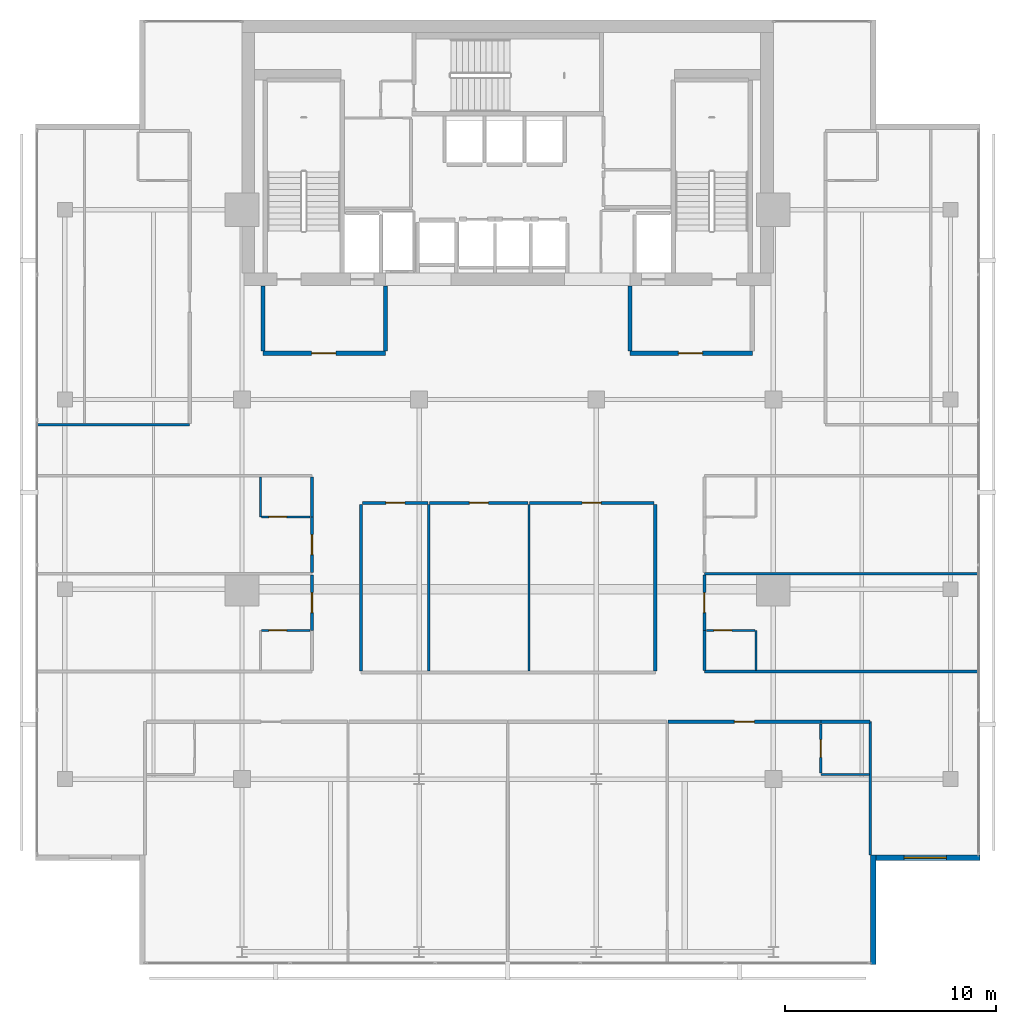
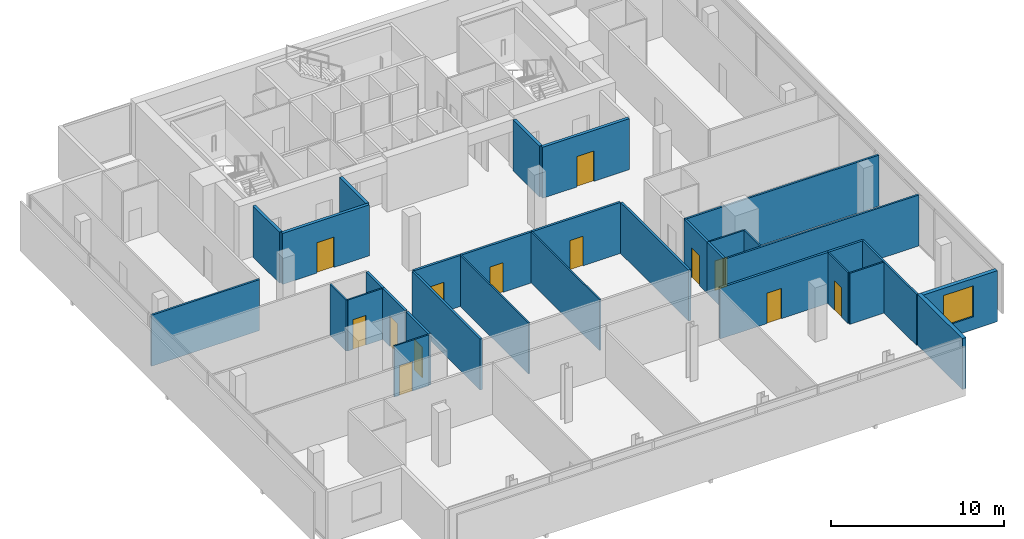
# One storey, part 20 of 25: 32 walls, 13 doors, 1 window, 14 openings.
"""IFC4 building model written with IfcOpenShell, lengths in metres."""

from ifc_helpers import new_model, si_unit, direction, frame, frame_2d, origin, place, context, subcontext, project, spatial, rectangle, extrude, material, layer, layer_set, type_object, element, fill, save


model = new_model("IFC4")

# Units and contexts
model_context = context("Model", 3, precision=1e-05, world=origin(), true_north=direction((0.0, 1.0)))
body_context = subcontext(model_context, "Body", "Model", "MODEL_VIEW")
ifc_project = project(units=[si_unit("LENGTHUNIT", "METRE"), si_unit("AREAUNIT", "SQUARE_METRE"), si_unit("VOLUMEUNIT", "CUBIC_METRE"), si_unit("PLANEANGLEUNIT", "RADIAN"), si_unit("MASSUNIT", "GRAM", prefix="KILO")], contexts=[model_context])

# Site, building, storey
site_placement = place(None, origin())
site = spatial("IfcSite", under=ifc_project, at=site_placement, CompositionType="ELEMENT")
building_placement = place(site_placement, origin())
building = spatial("IfcBuilding", under=site, at=building_placement, Name="Maruvema Waterfront Hotel and Observation Tower", CompositionType="ELEMENT")
storey_placement = place(building_placement, frame((0.0, 0.0, 274.050048828125)))
storey = spatial("IfcBuildingStorey", under=building, at=storey_placement, Name="L67", CompositionType="ELEMENT", Elevation=274.050048828125)

# Walls
ifc_material_1 = material(Name="Twin-stud acoustic gypsum drywall", Category="gypsum")
ifc_layer_1 = layer(ifc_material_1, 0.14990234375, Name="Acoustic Corridor and Suite Demising Wall 150 mm")
ifc_layer_set_1 = layer_set([ifc_layer_1], Name="Twin-stud acoustic gypsum drywall")
wall_type_1 = type_object("IfcWallType", Name="Acoustic Corridor and Suite Demising Wall 150 mm", PredefinedType="PARTITIONING", material=ifc_layer_set_1)
for number, where, z_axis, x_axis, name in (
    (1, (30.85009765625, 23.1298828125, 0.0), (0.0, 0.0, 1.0), (0.0, 1.0, 0.0), "L67 L67-Z3M West Wall 022"),
    (2, (44.800048828125, 23.1298828125, 0.0), (0.0, 0.0, 1.0), (0.0, 1.0, 0.0), "L67 L67-Z3M East Wall 023"),
):
    element("IfcWall", number, at=place(storey_placement, frame(where, z_axis=z_axis, x_axis=x_axis)), inside=storey, type_object=wall_type_1, Name=name, PredefinedType="PARTITIONING", context=body_context, shape_type="SweptSolid", body=[
        extrude(rectangle(XDim=7.89013671875, YDim=0.14990234375, at=frame_2d((3.945068359375, 0.0))), origin(), (0.0, 0.0, 1.0), 3.60986328125),
    ])

# Wall, opening, door
wall_1_placement = place(storey_placement, frame((30.909912109375, 31.10009765625, 0.0), z_axis=(0.0, 0.0, 1.0), x_axis=(1.0, 0.0, 0.0)))
wall_1 = element("IfcWall", 3, at=wall_1_placement, inside=storey, type_object=wall_type_1, Name="L67 L67-Z3M Front 1 024", PredefinedType="PARTITIONING", context=body_context, shape_type="SweptSolid", body=[
    extrude(rectangle(XDim=3.11865234375, YDim=0.14990234375, at=frame_2d((1.559326171875, 0.0))), origin(), (0.0, 0.0, 1.0), 3.60986328125),
])
opening_1_placement = place(wall_1_placement, frame((1.109375, 0.0, 0.0)))
opening_1 = element("IfcOpeningElement", 4, at=opening_1_placement, cuts=wall_1, Name="Opening DR-090", PredefinedType="OPENING", context=body_context, shape_type="SweptSolid", body=[
    extrude(rectangle(XDim=0.89990234375, YDim=2.10009765625, at=frame_2d((0.449951171875, 1.050048828125))), frame((0.0, 0.0849609375, 0.0), z_axis=(0.0, -1.0, 0.0), x_axis=(1.0, 0.0, 0.0)), (0.0, 0.0, 1.0), 0.169921875),
])
ifc_material_2 = material(Name="Solid-core lacquered timber leaf", Category="wood")
door_type_1 = type_object("IfcDoorType", Name="Accessible Toilet and Room Door 900x2100 mm", OperationType="NOTDEFINED", PredefinedType="DOOR", material=ifc_material_2)
door_1_placement = place(opening_1_placement, origin())
door_1 = element("IfcDoor", 5, at=door_1_placement, inside=storey, type_object=door_type_1, Name="L67 Private Chef Kitchen 1 Door", OperationType="SINGLE_SWING_RIGHT", OverallHeight=2.10009765625, OverallWidth=0.89990234375, PredefinedType="DOOR", context=body_context, shape_type="SweptSolid", body=[
    extrude(rectangle(XDim=0.89990234375, YDim=2.10009765625, at=frame_2d((0.449951171875, 1.050048828125))), frame((0.0, 0.02490234375, 0.0), z_axis=(0.0, -1.0, 0.0), x_axis=(1.0, 0.0, 0.0)), (0.0, 0.0, 1.0), 0.050048828125),
])
fill(opening_1, door_1)

wall_2_placement = place(storey_placement, frame((34.08837890625, 31.10009765625, 0.0), z_axis=(0.0, 0.0, 1.0), x_axis=(1.0, 0.0, 0.0)))
wall_2 = element("IfcWall", 6, at=wall_2_placement, inside=storey, type_object=wall_type_1, Name="L67 L67-Z3M Front 2 026", PredefinedType="PARTITIONING", context=body_context, shape_type="SweptSolid", body=[
    extrude(rectangle(XDim=4.68310546875, YDim=0.14990234375, at=frame_2d((2.341552734375, 0.0))), origin(), (0.0, 0.0, 1.0), 3.60986328125),
])
opening_2_placement = place(wall_2_placement, frame((1.8916015625, 0.0, 0.0)))
opening_2 = element("IfcOpeningElement", 7, at=opening_2_placement, cuts=wall_2, Name="Opening DR-090", PredefinedType="OPENING", context=body_context, shape_type="SweptSolid", body=[
    extrude(rectangle(XDim=0.89990234375, YDim=2.10009765625, at=frame_2d((0.449951171875, 1.050048828125))), frame((0.0, 0.0849609375, 0.0), z_axis=(0.0, -1.0, 0.0), x_axis=(1.0, 0.0, 0.0)), (0.0, 0.0, 1.0), 0.169921875),
])
door_2_placement = place(opening_2_placement, origin())
door_2 = element("IfcDoor", 8, at=door_2_placement, inside=storey, type_object=door_type_1, Name="L67 Private Chef Kitchen 2 Door", OperationType="SINGLE_SWING_LEFT", OverallHeight=2.10009765625, OverallWidth=0.89990234375, PredefinedType="DOOR", context=body_context, shape_type="SweptSolid", body=[
    extrude(rectangle(XDim=0.89990234375, YDim=2.10009765625, at=frame_2d((0.449951171875, 1.050048828125))), frame((0.0, 0.02490234375, 0.0), z_axis=(0.0, -1.0, 0.0), x_axis=(1.0, 0.0, 0.0)), (0.0, 0.0, 1.0), 0.050048828125),
])
fill(opening_2, door_2)

wall_3_placement = place(storey_placement, frame((38.83154296875, 31.10009765625, 0.0), z_axis=(0.0, 0.0, 1.0), x_axis=(1.0, 0.0, 0.0)))
wall_3 = element("IfcWall", 9, at=wall_3_placement, inside=storey, type_object=wall_type_1, Name="L67 L67-Z3M Front 3 028", PredefinedType="PARTITIONING", context=body_context, shape_type="SweptSolid", body=[
    extrude(rectangle(XDim=5.908447265625, YDim=0.14990234375, at=frame_2d((2.9541015625, 0.0))), origin(), (0.0, 0.0, 1.0), 3.60986328125),
])
opening_3_placement = place(wall_3_placement, frame((2.50439453125, 0.0, 0.0)))
opening_3 = element("IfcOpeningElement", 10, at=opening_3_placement, cuts=wall_3, Name="Opening DR-090", PredefinedType="OPENING", context=body_context, shape_type="SweptSolid", body=[
    extrude(rectangle(XDim=0.89990234375, YDim=2.10009765625, at=frame_2d((0.449951171875, 1.050048828125))), frame((0.0, 0.0849609375, 0.0), z_axis=(0.0, -1.0, 0.0), x_axis=(1.0, 0.0, 0.0)), (0.0, 0.0, 1.0), 0.169921875),
])
door_3_placement = place(opening_3_placement, origin())
door_3 = element("IfcDoor", 11, at=door_3_placement, inside=storey, type_object=door_type_1, Name="L67 Private Chef Kitchen 3 Door", OperationType="SINGLE_SWING_RIGHT", OverallHeight=2.10009765625, OverallWidth=0.89990234375, PredefinedType="DOOR", context=body_context, shape_type="SweptSolid", body=[
    extrude(rectangle(XDim=0.89990234375, YDim=2.10009765625, at=frame_2d((0.449951171875, 1.050048828125))), frame((0.0, 0.02490234375, 0.0), z_axis=(0.0, -1.0, 0.0), x_axis=(1.0, 0.0, 0.0)), (0.0, 0.0, 1.0), 0.050048828125),
])
fill(opening_3, door_3)

# Wall
wall_4_placement = place(storey_placement, frame((52.64990234375, 20.719970703125, 0.0), z_axis=(0.0, 0.0, 1.0), x_axis=(1.0, 0.0, 0.0)))
element("IfcWall", 12, at=wall_4_placement, inside=storey, type_object=wall_type_1, Name="L67 Bath L67-S2 Back Wall 038", PredefinedType="PARTITIONING", context=body_context, shape_type="SweptSolid", body=[
    extrude(rectangle(XDim=2.330078125, YDim=0.14990234375, at=frame_2d((1.1650390625, 0.0))), origin(), (0.0, 0.0, 1.0), 3.60986328125),
])

# Wall, opening, door
wall_5_placement = place(storey_placement, frame((45.407958984375, 20.719970703125, 0.0), z_axis=(0.0, 0.0, 1.0), x_axis=(1.0, 0.0, 0.0)))
wall_5 = element("IfcWall", 13, at=wall_5_placement, inside=storey, type_object=wall_type_1, Name="L67 Unit L67-S2 Corridor Wall 042", PredefinedType="PARTITIONING", context=body_context, shape_type="SweptSolid", body=[
    extrude(rectangle(XDim=7.241943359375, YDim=0.14990234375, at=frame_2d((3.62109375, 0.0))), origin(), (0.0, 0.0, 1.0), 3.60986328125),
])
opening_4_placement = place(wall_5_placement, frame((3.14599609375, 0.0, 0.0)))
opening_4 = element("IfcOpeningElement", 14, at=opening_4_placement, cuts=wall_5, Name="Opening DR-095", PredefinedType="OPENING", context=body_context, shape_type="SweptSolid", body=[
    extrude(rectangle(XDim=0.949951171875, YDim=2.14990234375, at=frame_2d((0.47509765625, 1.074951171875))), frame((0.0, 0.0849609375, 0.0), z_axis=(0.0, -1.0, 0.0), x_axis=(1.0, 0.0, 0.0)), (0.0, 0.0, 1.0), 0.169921875),
])
ifc_material_3 = material(Name="Acoustic solid-core hardwood timber leaf", Category="wood")
door_type_2 = type_object("IfcDoorType", Name="Guestroom Entrance Fire Door 950x2150 mm", OperationType="NOTDEFINED", PredefinedType="DOOR", material=ifc_material_3)
door_4_placement = place(opening_4_placement, frame((0.949951171875, 0.0, 0.0), z_axis=(0.0, 0.0, 1.0), x_axis=(-1.0, 0.0, 0.0)))
door_4 = element("IfcDoor", 15, at=door_4_placement, inside=storey, type_object=door_type_2, Name="L67 Unit L67-S2 Entrance Door", OperationType="SINGLE_SWING_LEFT", OverallHeight=2.14990234375, OverallWidth=0.949951171875, PredefinedType="DOOR", context=body_context, shape_type="SweptSolid", body=[
    extrude(rectangle(XDim=0.949951171875, YDim=2.14990234375, at=frame_2d((0.47509765625, 1.074951171875))), frame((0.0, 0.02490234375, 0.0), z_axis=(0.0, -1.0, 0.0), x_axis=(1.0, 0.0, 0.0)), (0.0, 0.0, 1.0), 0.050048828125),
])
fill(opening_4, door_4)

wall_6_placement = place(storey_placement, frame((28.52001953125, 25.050048828125, 0.0), z_axis=(0.0, 0.0, 1.0), x_axis=(0.0, 1.0, 0.0)))
wall_6 = element("IfcWall", 16, at=wall_6_placement, inside=storey, type_object=wall_type_1, Name="L67 Room L67-W1 Corridor Wall 049", PredefinedType="PARTITIONING", context=body_context, shape_type="SweptSolid", body=[
    extrude(rectangle(XDim=2.6298828125, YDim=0.14990234375, at=frame_2d((1.31494140625, 0.0))), origin(), (0.0, 0.0, 1.0), 3.60986328125),
])
opening_5_placement = place(wall_6_placement, frame((0.840087890625, 0.0, 0.0)))
opening_5 = element("IfcOpeningElement", 17, at=opening_5_placement, cuts=wall_6, Name="Opening DR-095", PredefinedType="OPENING", context=body_context, shape_type="SweptSolid", body=[
    extrude(rectangle(XDim=0.949951171875, YDim=2.14990234375, at=frame_2d((0.47509765625, 1.074951171875))), frame((0.0, 0.0849609375, 0.0), z_axis=(0.0, -1.0, 0.0), x_axis=(1.0, 0.0, 0.0)), (0.0, 0.0, 1.0), 0.169921875),
])
door_5_placement = place(opening_5_placement, origin())
door_5 = element("IfcDoor", 18, at=door_5_placement, inside=storey, type_object=door_type_2, Name="L67 Room L67-W1 Entrance Door", OperationType="SINGLE_SWING_RIGHT", OverallHeight=2.14990234375, OverallWidth=0.949951171875, PredefinedType="DOOR", context=body_context, shape_type="SweptSolid", body=[
    extrude(rectangle(XDim=0.949951171875, YDim=2.14990234375, at=frame_2d((0.47509765625, 1.074951171875))), frame((0.0, 0.02490234375, 0.0), z_axis=(0.0, -1.0, 0.0), x_axis=(1.0, 0.0, 0.0)), (0.0, 0.0, 1.0), 0.050048828125),
])
fill(opening_5, door_5)

# Wall
wall_7_placement = place(storey_placement, frame((47.1298828125, 23.159912109375, 0.0), z_axis=(0.0, 0.0, 1.0), x_axis=(0.0, 1.0, 0.0)))
element("IfcWall", 19, at=wall_7_placement, inside=storey, type_object=wall_type_1, Name="L67 Bath L67-E1 Wall 052", PredefinedType="PARTITIONING", context=body_context, shape_type="SweptSolid", body=[
    extrude(rectangle(XDim=1.89013671875, YDim=0.14990234375, at=frame_2d((0.945068359375, 0.0))), origin(), (0.0, 0.0, 1.0), 3.60986328125),
])

# Wall, opening, door
wall_8_placement = place(storey_placement, frame((47.1298828125, 25.050048828125, 0.0), z_axis=(0.0, 0.0, 1.0), x_axis=(0.0, 1.0, 0.0)))
wall_8 = element("IfcWall", 20, at=wall_8_placement, inside=storey, type_object=wall_type_1, Name="L67 Room L67-E1 Corridor Wall 053", PredefinedType="PARTITIONING", context=body_context, shape_type="SweptSolid", body=[
    extrude(rectangle(XDim=2.6298828125, YDim=0.14990234375, at=frame_2d((1.31494140625, 0.0))), origin(), (0.0, 0.0, 1.0), 3.60986328125),
])
opening_6_placement = place(wall_8_placement, frame((0.840087890625, 0.0, 0.0)))
opening_6 = element("IfcOpeningElement", 21, at=opening_6_placement, cuts=wall_8, Name="Opening DR-095", PredefinedType="OPENING", context=body_context, shape_type="SweptSolid", body=[
    extrude(rectangle(XDim=0.949951171875, YDim=2.14990234375, at=frame_2d((0.47509765625, 1.074951171875))), frame((0.0, 0.0849609375, 0.0), z_axis=(0.0, -1.0, 0.0), x_axis=(1.0, 0.0, 0.0)), (0.0, 0.0, 1.0), 0.169921875),
])
door_6_placement = place(opening_6_placement, frame((0.949951171875, 0.0, 0.0), z_axis=(0.0, 0.0, 1.0), x_axis=(-1.0, 0.0, 0.0)))
door_6 = element("IfcDoor", 22, at=door_6_placement, inside=storey, type_object=door_type_2, Name="L67 Room L67-E1 Entrance Door", OperationType="SINGLE_SWING_RIGHT", OverallHeight=2.14990234375, OverallWidth=0.949951171875, PredefinedType="DOOR", context=body_context, shape_type="SweptSolid", body=[
    extrude(rectangle(XDim=0.949951171875, YDim=2.14990234375, at=frame_2d((0.47509765625, 1.074951171875))), frame((0.0, 0.02490234375, 0.0), z_axis=(0.0, -1.0, 0.0), x_axis=(1.0, 0.0, 0.0)), (0.0, 0.0, 1.0), 0.050048828125),
])
fill(opening_6, door_6)

wall_9_placement = place(storey_placement, frame((28.52001953125, 27.800048828125, 0.0), z_axis=(0.0, 0.0, 1.0), x_axis=(0.0, 1.0, 0.0)))
wall_9 = element("IfcWall", 23, at=wall_9_placement, inside=storey, type_object=wall_type_1, Name="L67 Room L67-W2 Corridor Wall 058", PredefinedType="PARTITIONING", context=body_context, shape_type="SweptSolid", body=[
    extrude(rectangle(XDim=2.6298828125, YDim=0.14990234375, at=frame_2d((1.31494140625, 0.0))), origin(), (0.0, 0.0, 1.0), 3.60986328125),
])
opening_7_placement = place(wall_9_placement, frame((0.840087890625, 0.0, 0.0)))
opening_7 = element("IfcOpeningElement", 24, at=opening_7_placement, cuts=wall_9, Name="Opening DR-095", PredefinedType="OPENING", context=body_context, shape_type="SweptSolid", body=[
    extrude(rectangle(XDim=0.949951171875, YDim=2.14990234375, at=frame_2d((0.47509765625, 1.074951171875))), frame((0.0, 0.0849609375, 0.0), z_axis=(0.0, -1.0, 0.0), x_axis=(1.0, 0.0, 0.0)), (0.0, 0.0, 1.0), 0.169921875),
])
door_7_placement = place(opening_7_placement, origin())
door_7 = element("IfcDoor", 25, at=door_7_placement, inside=storey, type_object=door_type_2, Name="L67 Room L67-W2 Entrance Door", OperationType="SINGLE_SWING_RIGHT", OverallHeight=2.14990234375, OverallWidth=0.949951171875, PredefinedType="DOOR", context=body_context, shape_type="SweptSolid", body=[
    extrude(rectangle(XDim=0.949951171875, YDim=2.14990234375, at=frame_2d((0.47509765625, 1.074951171875))), frame((0.0, 0.02490234375, 0.0), z_axis=(0.0, -1.0, 0.0), x_axis=(1.0, 0.0, 0.0)), (0.0, 0.0, 1.0), 0.050048828125),
])
fill(opening_7, door_7)

# Walls
wall_10_placement = place(storey_placement, frame((28.52001953125, 30.429931640625, 0.0), z_axis=(0.0, 0.0, 1.0), x_axis=(0.0, 1.0, 0.0)))
element("IfcWall", 26, at=wall_10_placement, inside=storey, type_object=wall_type_1, Name="L67 Bath L67-W2 Wall 059", PredefinedType="PARTITIONING", context=body_context, shape_type="SweptSolid", body=[
    extrude(rectangle(XDim=1.89013671875, YDim=0.14990234375, at=frame_2d((0.945068359375, 0.0))), origin(), (0.0, 0.0, 1.0), 3.60986328125),
])
ifc_material_4 = material(Name="Moisture-resistant cement-board drywall", Category="gypsum")
ifc_layer_2 = layer(ifc_material_4, 0.10009765625, Name="En-Suite Moisture-Resistant Partition 100 mm")
ifc_layer_set_2 = layer_set([ifc_layer_2], Name="Moisture-resistant cement-board drywall")
wall_type_2 = type_object("IfcWallType", Name="En-Suite Moisture-Resistant Partition 100 mm", PredefinedType="PARTITIONING", material=ifc_layer_set_2)
for number, where, z_axis, x_axis, name in (
    (27, (34.05859375, 23.1298828125, 0.0), (0.0, 0.0, 1.0), (0.0, 1.0, 0.0), "L67 L67-Z3M Split 1 025"),
    (28, (38.801513671875, 23.1298828125, 0.0), (0.0, 0.0, 1.0), (0.0, 1.0, 0.0), "L67 L67-Z3M Split 2 027"),
):
    element("IfcWall", number, at=place(storey_placement, frame(where, z_axis=z_axis, x_axis=x_axis)), inside=storey, type_object=wall_type_2, Name=name, PredefinedType="PARTITIONING", context=body_context, shape_type="SweptSolid", body=[
        extrude(rectangle(XDim=7.89013671875, YDim=0.10009765625, at=frame_2d((3.945068359375, 0.0))), origin(), (0.0, 0.0, 1.0), 3.60986328125),
    ])
wall_11_placement = place(storey_placement, frame((52.64990234375, 18.219970703125, 0.0), z_axis=(0.0, 0.0, 1.0), x_axis=(1.0, 0.0, 0.0)))
element("IfcWall", 29, at=wall_11_placement, inside=storey, type_object=wall_type_2, Name="L67 En-Suite L67-S2 South 039", PredefinedType="PARTITIONING", context=body_context, shape_type="SweptSolid", body=[
    extrude(rectangle(XDim=2.31005859375, YDim=0.10009765625, at=frame_2d((1.155029296875, 0.0))), origin(), (0.0, 0.0, 1.0), 3.60986328125),
])

# Wall, opening, door
wall_12_placement = place(storey_placement, frame((52.64990234375, 18.280029296875, 0.0), z_axis=(0.0, 0.0, 1.0), x_axis=(0.0, 1.0, 0.0)))
wall_12 = element("IfcWall", 30, at=wall_12_placement, inside=storey, type_object=wall_type_2, Name="L67 En-Suite L67-S2 West 040", PredefinedType="PARTITIONING", context=body_context, shape_type="SweptSolid", body=[
    extrude(rectangle(XDim=2.340087890625, YDim=0.10009765625, at=frame_2d((1.169921875, 0.0))), origin(), (0.0, 0.0, 1.0), 3.60986328125),
])
opening_8_placement = place(wall_12_placement, frame((0.7451171875, 0.0, 0.0)))
opening_8 = element("IfcOpeningElement", 31, at=opening_8_placement, cuts=wall_12, Name="Opening DR-085", PredefinedType="OPENING", context=body_context, shape_type="SweptSolid", body=[
    extrude(rectangle(XDim=0.85009765625, YDim=2.10009765625, at=frame_2d((0.425048828125, 1.050048828125))), frame((0.0, 0.06005859375, 0.0), z_axis=(0.0, -1.0, 0.0), x_axis=(1.0, 0.0, 0.0)), (0.0, 0.0, 1.0), 0.1201171875),
])
ifc_material_5 = material(Name="Moisture-resistant solid timber leaf", Category="wood")
door_type_3 = type_object("IfcDoorType", Name="En-Suite Bathroom Door 850x2100 mm", OperationType="NOTDEFINED", PredefinedType="DOOR", material=ifc_material_5)
door_8_placement = place(opening_8_placement, origin())
door_8 = element("IfcDoor", 32, at=door_8_placement, inside=storey, type_object=door_type_3, Name="L67 En-Suite L67-S2 Door", OperationType="SINGLE_SWING_RIGHT", OverallHeight=2.10009765625, OverallWidth=0.85009765625, PredefinedType="DOOR", context=body_context, shape_type="SweptSolid", body=[
    extrude(rectangle(XDim=0.85009765625, YDim=2.10009765625, at=frame_2d((0.425048828125, 1.050048828125))), frame((0.0, 0.02490234375, 0.0), z_axis=(0.0, -1.0, 0.0), x_axis=(1.0, 0.0, 0.0)), (0.0, 0.0, 1.0), 0.050048828125),
])
fill(opening_8, door_8)

wall_13_placement = place(storey_placement, frame((26.1201171875, 25.050048828125, 0.0), z_axis=(0.0, 0.0, 1.0), x_axis=(1.0, 0.0, 0.0)))
wall_13 = element("IfcWall", 33, at=wall_13_placement, inside=storey, type_object=wall_type_2, Name="L67 En-Suite L67-W1 N 051", PredefinedType="PARTITIONING", context=body_context, shape_type="SweptSolid", body=[
    extrude(rectangle(XDim=2.2998046875, YDim=0.10009765625, at=frame_2d((1.14990234375, 0.0))), origin(), (0.0, 0.0, 1.0), 3.60986328125),
])
opening_9_placement = place(wall_13_placement, frame((0.35009765625, 0.0, 0.0)))
opening_9 = element("IfcOpeningElement", 34, at=opening_9_placement, cuts=wall_13, Name="Opening DR-085", PredefinedType="OPENING", context=body_context, shape_type="SweptSolid", body=[
    extrude(rectangle(XDim=0.85009765625, YDim=2.10009765625, at=frame_2d((0.425048828125, 1.050048828125))), frame((0.0, 0.06005859375, 0.0), z_axis=(0.0, -1.0, 0.0), x_axis=(1.0, 0.0, 0.0)), (0.0, 0.0, 1.0), 0.1201171875),
])
door_9_placement = place(opening_9_placement, origin())
door_9 = element("IfcDoor", 35, at=door_9_placement, inside=storey, type_object=door_type_3, Name="L67 En-Suite L67-W1 Door", OperationType="SINGLE_SWING_LEFT", OverallHeight=2.10009765625, OverallWidth=0.85009765625, PredefinedType="DOOR", context=body_context, shape_type="SweptSolid", body=[
    extrude(rectangle(XDim=0.85009765625, YDim=2.10009765625, at=frame_2d((0.425048828125, 1.050048828125))), frame((0.0, 0.02490234375, 0.0), z_axis=(0.0, -1.0, 0.0), x_axis=(1.0, 0.0, 0.0)), (0.0, 0.0, 1.0), 0.050048828125),
])
fill(opening_9, door_9)

# Wall
wall_14_placement = place(storey_placement, frame((49.580078125, 23.159912109375, 0.0), z_axis=(0.0, 0.0, 1.0), x_axis=(0.0, 1.0, 0.0)))
element("IfcWall", 36, at=wall_14_placement, inside=storey, type_object=wall_type_2, Name="L67 En-Suite L67-E1 E 054", PredefinedType="PARTITIONING", context=body_context, shape_type="SweptSolid", body=[
    extrude(rectangle(XDim=1.89013671875, YDim=0.10009765625, at=frame_2d((0.945068359375, 0.0))), origin(), (0.0, 0.0, 1.0), 3.60986328125),
])

# Wall, opening, door
wall_15_placement = place(storey_placement, frame((47.22998046875, 25.050048828125, 0.0), z_axis=(0.0, 0.0, 1.0), x_axis=(1.0, 0.0, 0.0)))
wall_15 = element("IfcWall", 37, at=wall_15_placement, inside=storey, type_object=wall_type_2, Name="L67 En-Suite L67-E1 N 055", PredefinedType="PARTITIONING", context=body_context, shape_type="SweptSolid", body=[
    extrude(rectangle(XDim=2.300048828125, YDim=0.10009765625, at=frame_2d((1.14990234375, 0.0))), origin(), (0.0, 0.0, 1.0), 3.60986328125),
])
opening_10_placement = place(wall_15_placement, frame((0.35009765625, 0.0, 0.0)))
opening_10 = element("IfcOpeningElement", 38, at=opening_10_placement, cuts=wall_15, Name="Opening DR-085", PredefinedType="OPENING", context=body_context, shape_type="SweptSolid", body=[
    extrude(rectangle(XDim=0.85009765625, YDim=2.10009765625, at=frame_2d((0.425048828125, 1.050048828125))), frame((0.0, 0.06005859375, 0.0), z_axis=(0.0, -1.0, 0.0), x_axis=(1.0, 0.0, 0.0)), (0.0, 0.0, 1.0), 0.1201171875),
])
door_10_placement = place(opening_10_placement, origin())
door_10 = element("IfcDoor", 39, at=door_10_placement, inside=storey, type_object=door_type_3, Name="L67 En-Suite L67-E1 Door", OperationType="SINGLE_SWING_LEFT", OverallHeight=2.10009765625, OverallWidth=0.85009765625, PredefinedType="DOOR", context=body_context, shape_type="SweptSolid", body=[
    extrude(rectangle(XDim=0.85009765625, YDim=2.10009765625, at=frame_2d((0.425048828125, 1.050048828125))), frame((0.0, 0.02490234375, 0.0), z_axis=(0.0, -1.0, 0.0), x_axis=(1.0, 0.0, 0.0)), (0.0, 0.0, 1.0), 0.050048828125),
])
fill(opening_10, door_10)

# Wall
wall_16_placement = place(storey_placement, frame((26.070068359375, 30.429931640625, 0.0), z_axis=(0.0, 0.0, 1.0), x_axis=(0.0, 1.0, 0.0)))
element("IfcWall", 40, at=wall_16_placement, inside=storey, type_object=wall_type_2, Name="L67 En-Suite L67-W2 W 060", PredefinedType="PARTITIONING", context=body_context, shape_type="SweptSolid", body=[
    extrude(rectangle(XDim=1.89013671875, YDim=0.10009765625, at=frame_2d((0.945068359375, 0.0))), origin(), (0.0, 0.0, 1.0), 3.60986328125),
])

# Wall, opening, door
wall_17_placement = place(storey_placement, frame((26.1201171875, 30.429931640625, 0.0), z_axis=(0.0, 0.0, 1.0), x_axis=(1.0, 0.0, 0.0)))
wall_17 = element("IfcWall", 41, at=wall_17_placement, inside=storey, type_object=wall_type_2, Name="L67 En-Suite L67-W2 S 061", PredefinedType="PARTITIONING", context=body_context, shape_type="SweptSolid", body=[
    extrude(rectangle(XDim=2.2998046875, YDim=0.10009765625, at=frame_2d((1.14990234375, 0.0))), origin(), (0.0, 0.0, 1.0), 3.60986328125),
])
opening_11_placement = place(wall_17_placement, frame((0.35009765625, 0.0, 0.0)))
opening_11 = element("IfcOpeningElement", 42, at=opening_11_placement, cuts=wall_17, Name="Opening DR-085", PredefinedType="OPENING", context=body_context, shape_type="SweptSolid", body=[
    extrude(rectangle(XDim=0.85009765625, YDim=2.10009765625, at=frame_2d((0.425048828125, 1.050048828125))), frame((0.0, 0.06005859375, 0.0), z_axis=(0.0, -1.0, 0.0), x_axis=(1.0, 0.0, 0.0)), (0.0, 0.0, 1.0), 0.1201171875),
])
door_11_placement = place(opening_11_placement, frame((0.85009765625, 0.0, 0.0), z_axis=(0.0, 0.0, 1.0), x_axis=(-1.0, 0.0, 0.0)))
door_11 = element("IfcDoor", 43, at=door_11_placement, inside=storey, type_object=door_type_3, Name="L67 En-Suite L67-W2 Door", OperationType="SINGLE_SWING_LEFT", OverallHeight=2.10009765625, OverallWidth=0.85009765625, PredefinedType="DOOR", context=body_context, shape_type="SweptSolid", body=[
    extrude(rectangle(XDim=0.85009765625, YDim=2.10009765625, at=frame_2d((0.425048828125, 1.050048828125))), frame((0.0, 0.02490234375, 0.0), z_axis=(0.0, -1.0, 0.0), x_axis=(1.0, 0.0, 0.0)), (0.0, 0.0, 1.0), 0.050048828125),
])
fill(opening_11, door_11)

# Wall
ifc_material_6 = material(Name="Precast concrete C45/55 with honed Pernambuco granite facing", Category="masonry")
ifc_layer_3 = layer(ifc_material_6, 0.260009765625, Name="Exterior Granite Clad Spandrel and Pier Wall 260 mm")
ifc_layer_set_3 = layer_set([ifc_layer_3], Name="Precast concrete C45/55 with honed Pernambuco granite facing")
wall_type_3 = type_object("IfcWallType", Name="Exterior Granite Clad Spandrel and Pier Wall 260 mm", PredefinedType="SOLIDWALL", material=ifc_layer_set_3)
wall_18_placement = place(storey_placement, frame((55.1298828125, 14.39990234375, 0.0), z_axis=(0.0, 0.0, 1.0), x_axis=(0.0, -1.0, 0.0)))
element("IfcWall", 44, at=wall_18_placement, inside=storey, type_object=wall_type_3, Name="L67 Corner Notch Granite Pier Wall SE1", PredefinedType="SOLIDWALL", context=body_context, shape_type="SweptSolid", body=[
    extrude(rectangle(XDim=5.199951171875, YDim=0.260009765625, at=frame_2d((2.60009765625, 0.0))), origin(), (0.0, 0.0, 1.0), 3.60986328125),
])

# Wall, opening, window
wall_19_placement = place(storey_placement, frame((60.199951171875, 14.27001953125, 0.0), z_axis=(0.0, 0.0, 1.0), x_axis=(-1.0, 0.0, 0.0)))
wall_19 = element("IfcWall", 45, at=wall_19_placement, inside=storey, type_object=wall_type_3, Name="L67 Corner Notch Granite Pier Wall SE2", PredefinedType="SOLIDWALL", context=body_context, shape_type="SweptSolid", body=[
    extrude(rectangle(XDim=5.199951171875, YDim=0.260009765625, at=frame_2d((2.60009765625, 0.0))), origin(), (0.0, 0.0, 1.0), 3.60986328125),
])
opening_12_placement = place(wall_19_placement, frame((1.60009765625, 0.0, 0.89990234375)))
opening_12 = element("IfcOpeningElement", 46, at=opening_12_placement, cuts=wall_19, Name="Opening WN-03", PredefinedType="OPENING", context=body_context, shape_type="SweptSolid", body=[
    extrude(rectangle(XDim=2.0, YDim=2.199951171875, at=frame_2d((1.0, 1.10009765625))), frame((0.0, 0.14013671875, 0.0), z_axis=(0.0, -1.0, 0.0), x_axis=(1.0, 0.0, 0.0)), (0.0, 0.0, 1.0), 0.280029296875),
])
ifc_material_7 = material(Name="Anodised bronze aluminium frame with laminated low-E glass", Category="aluminium")
window_type = type_object("IfcWindowType", Name="Sky Suite Panoramic Notch Window 2000x2200 mm", PartitioningType="SINGLE_PANEL", PredefinedType="WINDOW", material=ifc_material_7)
window_placement = place(opening_12_placement, origin())
window = element("IfcWindow", 47, at=window_placement, inside=storey, type_object=window_type, Name="L67 Corner Notch Punched Window SE2", OverallHeight=2.199951171875, OverallWidth=2.0, PartitioningType="SINGLE_PANEL", PredefinedType="WINDOW", context=body_context, shape_type="SweptSolid", body=[
    extrude(rectangle(XDim=2.0, YDim=2.199951171875, at=frame_2d((1.0, 1.10009765625))), frame((0.0, 0.030029296875, 0.0), z_axis=(0.0, -1.0, 0.0), x_axis=(1.0, 0.0, 0.0)), (0.0, 0.0, 1.0), 0.06005859375),
])
fill(opening_12, window)

# Wall, opening, door
ifc_material_8 = material(Name="Autoclaved cellular concrete blockwork", Category="masonry")
ifc_layer_4 = layer(ifc_material_8, 0.199951171875, Name="Fire Compartment Masonry Wall 200 mm")
ifc_layer_set_4 = layer_set([ifc_layer_4], Name="Autoclaved cellular concrete blockwork")
wall_type_4 = type_object("IfcWallType", Name="Fire Compartment Masonry Wall 200 mm", PredefinedType="PARTITIONING", material=ifc_layer_set_4)
wall_20_placement = place(storey_placement, frame((26.199951171875, 38.199951171875, 0.0), z_axis=(0.0, 0.0, 1.0), x_axis=(1.0, 0.0, 0.0)))
wall_20 = element("IfcWall", 48, at=wall_20_placement, inside=storey, type_object=wall_type_4, Name="L67 FFL West South Wall 001", PredefinedType="PARTITIONING", context=body_context, shape_type="SweptSolid", body=[
    extrude(rectangle(XDim=5.800048828125, YDim=0.199951171875, at=frame_2d((2.89990234375, 0.0))), origin(), (0.0, 0.0, 1.0), 3.60986328125),
])
opening_13_placement = place(wall_20_placement, frame((2.300048828125, 0.0, 0.0)))
opening_13 = element("IfcOpeningElement", 49, at=opening_13_placement, cuts=wall_20, Name="Opening FD-115", PredefinedType="OPENING", context=body_context, shape_type="SweptSolid", body=[
    extrude(rectangle(XDim=1.14990234375, YDim=2.14990234375, at=frame_2d((0.574951171875, 1.074951171875))), frame((0.0, 0.10986328125, 0.0), z_axis=(0.0, -1.0, 0.0), x_axis=(1.0, 0.0, 0.0)), (0.0, 0.0, 1.0), 0.219970703125),
])
ifc_material_9 = material(Name="Fire-rated galvanised steel and vision glass", Category="steel")
door_type_4 = type_object("IfcDoorType", Name="Firefighting Lobby Fire Door 1150x2150 mm", OperationType="NOTDEFINED", PredefinedType="DOOR", material=ifc_material_9)
door_12_placement = place(opening_13_placement, frame((1.14990234375, 0.0, 0.0), z_axis=(0.0, 0.0, 1.0), x_axis=(-1.0, 0.0, 0.0)))
door_12 = element("IfcDoor", 50, at=door_12_placement, inside=storey, type_object=door_type_4, Name="L67 Firefighting Lobby West Door", OperationType="SINGLE_SWING_RIGHT", OverallHeight=2.14990234375, OverallWidth=1.14990234375, PredefinedType="DOOR", context=body_context, shape_type="SweptSolid", body=[
    extrude(rectangle(XDim=1.14990234375, YDim=2.14990234375, at=frame_2d((0.574951171875, 1.074951171875))), frame((0.0, 0.02490234375, 0.0), z_axis=(0.0, -1.0, 0.0), x_axis=(1.0, 0.0, 0.0)), (0.0, 0.0, 1.0), 0.050048828125),
])
fill(opening_13, door_12)

# Walls
for number, where, z_axis, x_axis, name in (
    (51, (26.199951171875, 38.31005859375, 0.0), (0.0, 0.0, 1.0), (0.0, 1.0, 0.0), "L67 FFL West West Wall 002"),
    (52, (32.0, 38.31005859375, 0.0), (0.0, 0.0, 1.0), (0.0, 1.0, 0.0), "L67 FFL West East Wall 003"),
):
    element("IfcWall", number, at=place(storey_placement, frame(where, z_axis=z_axis, x_axis=x_axis)), inside=storey, type_object=wall_type_4, Name=name, PredefinedType="PARTITIONING", context=body_context, shape_type="SweptSolid", body=[
        extrude(rectangle(XDim=3.06982421875, YDim=0.199951171875, at=frame_2d((1.534912109375, 0.0))), origin(), (0.0, 0.0, 1.0), 3.60986328125),
    ])

# Wall, opening, door
wall_21_placement = place(storey_placement, frame((43.60009765625, 38.199951171875, 0.0), z_axis=(0.0, 0.0, 1.0), x_axis=(1.0, 0.0, 0.0)))
wall_21 = element("IfcWall", 53, at=wall_21_placement, inside=storey, type_object=wall_type_4, Name="L67 FFL East South Wall 004", PredefinedType="PARTITIONING", context=body_context, shape_type="SweptSolid", body=[
    extrude(rectangle(XDim=5.7998046875, YDim=0.199951171875, at=frame_2d((2.89990234375, 0.0))), origin(), (0.0, 0.0, 1.0), 3.60986328125),
])
opening_14_placement = place(wall_21_placement, frame((2.300048828125, 0.0, 0.0)))
opening_14 = element("IfcOpeningElement", 54, at=opening_14_placement, cuts=wall_21, Name="Opening FD-115", PredefinedType="OPENING", context=body_context, shape_type="SweptSolid", body=[
    extrude(rectangle(XDim=1.14990234375, YDim=2.14990234375, at=frame_2d((0.574951171875, 1.074951171875))), frame((0.0, 0.10986328125, 0.0), z_axis=(0.0, -1.0, 0.0), x_axis=(1.0, 0.0, 0.0)), (0.0, 0.0, 1.0), 0.219970703125),
])
door_13_placement = place(opening_14_placement, frame((1.14990234375, 0.0, 0.0), z_axis=(0.0, 0.0, 1.0), x_axis=(-1.0, 0.0, 0.0)))
door_13 = element("IfcDoor", 55, at=door_13_placement, inside=storey, type_object=door_type_4, Name="L67 Firefighting Lobby East Door", OperationType="SINGLE_SWING_LEFT", OverallHeight=2.14990234375, OverallWidth=1.14990234375, PredefinedType="DOOR", context=body_context, shape_type="SweptSolid", body=[
    extrude(rectangle(XDim=1.14990234375, YDim=2.14990234375, at=frame_2d((0.574951171875, 1.074951171875))), frame((0.0, 0.02490234375, 0.0), z_axis=(0.0, -1.0, 0.0), x_axis=(1.0, 0.0, 0.0)), (0.0, 0.0, 1.0), 0.050048828125),
])
fill(opening_14, door_13)

# Walls
wall_22_placement = place(storey_placement, frame((43.60009765625, 38.31005859375, 0.0), z_axis=(0.0, 0.0, 1.0), x_axis=(0.0, 1.0, 0.0)))
element("IfcWall", 56, at=wall_22_placement, inside=storey, type_object=wall_type_4, Name="L67 FFL East West Wall 005", PredefinedType="PARTITIONING", context=body_context, shape_type="SweptSolid", body=[
    extrude(rectangle(XDim=3.06982421875, YDim=0.199951171875, at=frame_2d((1.534912109375, 0.0))), origin(), (0.0, 0.0, 1.0), 3.60986328125),
])
ifc_material_10 = material(Name="Acoustic gypsum plasterboard drywall", Category="gypsum")
ifc_layer_5 = layer(ifc_material_10, 0.125, Name="Guestroom Acoustic Demising Wall 125 mm")
ifc_layer_set_5 = layer_set([ifc_layer_5], Name="Acoustic gypsum plasterboard drywall")
wall_type_5 = type_object("IfcWallType", Name="Guestroom Acoustic Demising Wall 125 mm", PredefinedType="PARTITIONING", material=ifc_layer_set_5)
wall_23_placement = place(storey_placement, frame((55.0, 14.39990234375, 0.0), z_axis=(0.0, 0.0, 1.0), x_axis=(0.0, 1.0, 0.0)))
element("IfcWall", 57, at=wall_23_placement, inside=storey, type_object=wall_type_5, Name="L67 Z3 S East End 030", PredefinedType="PARTITIONING", context=body_context, shape_type="SweptSolid", body=[
    extrude(rectangle(XDim=6.320068359375, YDim=0.125, at=frame_2d((3.16015625, 0.0))), origin(), (0.0, 0.0, 1.0), 3.60986328125),
])
for number, where, z_axis, x_axis, name in (
    (58, (47.1298828125, 23.10009765625, 0.0), (0.0, 0.0, 1.0), (1.0, 0.0, 0.0), "L67 Z3 E Bot End 045"),
    (59, (47.1298828125, 27.739990234375, 0.0), (0.0, 0.0, 1.0), (1.0, 0.0, 0.0), "L67 Z3 E Demising 2 057"),
):
    element("IfcWall", number, at=place(storey_placement, frame(where, z_axis=z_axis, x_axis=x_axis)), inside=storey, type_object=wall_type_5, Name=name, PredefinedType="PARTITIONING", context=body_context, shape_type="SweptSolid", body=[
        extrude(rectangle(XDim=12.97021484375, YDim=0.125, at=frame_2d((6.485107421875, 0.0))), origin(), (0.0, 0.0, 1.0), 3.60986328125),
    ])
wall_24_placement = place(storey_placement, frame((15.5, 34.800048828125, 0.0), z_axis=(0.0, 0.0, 1.0), x_axis=(1.0, 0.0, 0.0)))
element("IfcWall", 60, at=wall_24_placement, inside=storey, type_object=wall_type_5, Name="L67 Z3 NW Bot End 066", PredefinedType="PARTITIONING", context=body_context, shape_type="SweptSolid", body=[
    extrude(rectangle(XDim=7.219970703125, YDim=0.125, at=frame_2d((3.60986328125, 0.0))), origin(), (0.0, 0.0, 1.0), 3.60986328125),
])

save(model, "model.ifc")
